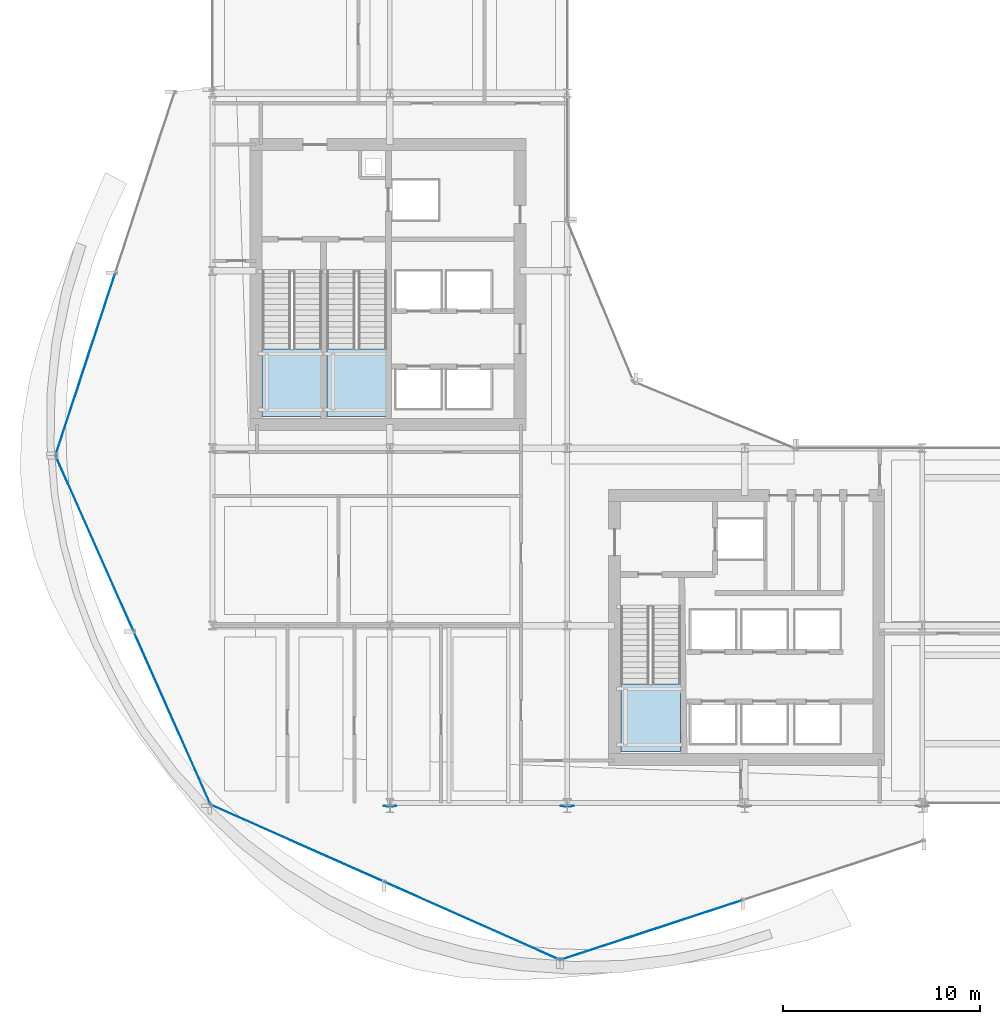
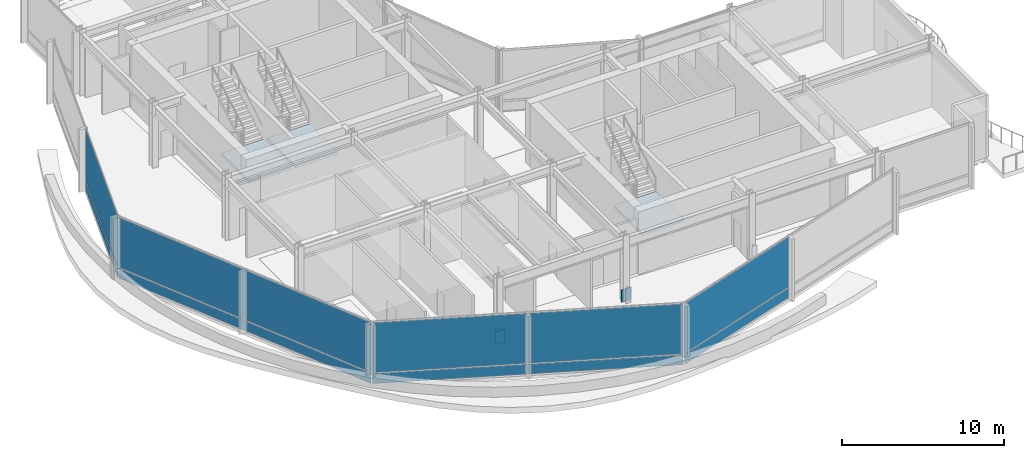
# One storey, part 21 of 33: 14 plates, 3 slabs, 7 elements without a shape of their own.
"""IFC4 building model written with IfcOpenShell, lengths in metres."""

from ifc_helpers import new_model, si_unit, direction, frame, origin, origin_2d, place, context, subcontext, project, spatial, polyline, rectangle, outline, extrude, material, layer, layer_set, type_object, element, aggregate, save


model = new_model("IFC4")

# Units and contexts
model_context = context("Model", 3, precision=1e-05, world=origin(), true_north=direction((0.0, 1.0)))
body_context = subcontext(model_context, "Body", "Model", "MODEL_VIEW")
ifc_project = project(units=[si_unit("LENGTHUNIT", "METRE"), si_unit("AREAUNIT", "SQUARE_METRE"), si_unit("VOLUMEUNIT", "CUBIC_METRE"), si_unit("PLANEANGLEUNIT", "RADIAN"), si_unit("MASSUNIT", "GRAM", prefix="KILO")], contexts=[model_context])

# Site, building, storey
site_placement = place(None, origin())
site = spatial("IfcSite", under=ifc_project, at=site_placement, CompositionType="ELEMENT")
building_placement = place(site_placement, origin())
building = spatial("IfcBuilding", under=site, at=building_placement, Name="Solvaryn Broadcast Tower", CompositionType="ELEMENT")
storey_placement = place(building_placement, frame((0.0, 0.0, 105.0)))
storey = spatial("IfcBuildingStorey", under=building, at=storey_placement, Name="L25", CompositionType="ELEMENT", Elevation=105.0)

# Curtain wall, plates
ifc_material_1 = material(Name="Aluminium and Terracotta Unitised Curtain Wall", Category="masonry")
ifc_layer_1 = layer(ifc_material_1, 0.25)
ifc_layer_set_1 = layer_set([ifc_layer_1], Name="CW-SYS4-SKYGARDEN")
curtain_wall_type = type_object("IfcCurtainWallType", Name="CW-SYS4-SKYGARDEN", PredefinedType="NOTDEFINED", material=ifc_layer_set_1)
curtain_wall_1_placement = place(storey_placement, origin())
curtain_wall_1 = element("IfcCurtainWall", 1, at=curtain_wall_1_placement, inside=storey, type_object=curtain_wall_type, Name="L25 Curtain Wall DR1", PredefinedType="NOTDEFINED")
ifc_material_2 = material(Name="Low-Iron Insulated Vision Glass", Category="glass")
ifc_layer_2 = layer(ifc_material_2, 0.035888671875)
ifc_layer_set_2 = layer_set([ifc_layer_2], Name="CW-PNL-VISION")
plate_type_1 = type_object("IfcPlateType", Name="CW-PNL-VISION", PredefinedType="CURTAIN_PANEL", material=ifc_layer_set_2)
plate_1_placement = place(storey_placement, frame((2.5498046875, 31.258056640625, 0.06005859375), z_axis=(0.0, 0.0, 1.0), x_axis=(-0.311646057547, -0.950198260794, 0.0)))
plate_1 = element("IfcPlate", 2, at=plate_1_placement, type_object=plate_type_1, Name="CWS4 panel 2.1", PredefinedType="CURTAIN_PANEL", context=body_context, shape_type="SweptSolid", body=[
    extrude(rectangle(XDim=9.6083984375, YDim=0.028076171875, at=origin_2d()), origin(), (0.0, 0.0, 1.0), 0.760009765625),
])
plate_2_placement = place(storey_placement, frame((2.5498046875, 31.258056640625, 0.8798828125), z_axis=(0.0, 0.0, 1.0), x_axis=(-0.311646057547, -0.950198260794, 0.0)))
plate_2 = element("IfcPlate", 3, at=plate_2_placement, type_object=plate_type_1, Name="CWS4 panel 2.2", PredefinedType="CURTAIN_PANEL", context=body_context, shape_type="SweptSolid", body=[
    extrude(rectangle(XDim=9.6083984375, YDim=0.028076171875, at=origin_2d()), origin(), (0.0, 0.0, 1.0), 3.780029296875),
])
aggregate(curtain_wall_1, [plate_1, plate_2])

curtain_wall_2_placement = place(storey_placement, origin())
curtain_wall_2 = element("IfcCurtainWall", 4, at=curtain_wall_2_placement, inside=storey, type_object=curtain_wall_type, Name="L25 Curtain Wall DR2", PredefinedType="NOTDEFINED")
plate_3_placement = place(storey_placement, frame((3.008544921875, 22.190185546875, 0.06005859375), z_axis=(0.0, 0.0, 1.0), x_axis=(0.405918429309, -0.913909311008, 0.0)))
plate_3 = element("IfcPlate", 5, at=plate_3_placement, type_object=plate_type_1, Name="CWS4 panel 1.1", PredefinedType="CURTAIN_PANEL", context=body_context, shape_type="SweptSolid", body=[
    extrude(rectangle(XDim=9.60888671875, YDim=0.028076171875, at=origin_2d()), origin(), (0.0, 0.0, 1.0), 0.760009765625),
])
plate_4_placement = place(storey_placement, frame((3.008544921875, 22.190185546875, 0.8798828125), z_axis=(0.0, 0.0, 1.0), x_axis=(0.405918429309, -0.913909311008, 0.0)))
plate_4 = element("IfcPlate", 6, at=plate_4_placement, type_object=plate_type_1, Name="CWS4 panel 1.2", PredefinedType="CURTAIN_PANEL", context=body_context, shape_type="SweptSolid", body=[
    extrude(rectangle(XDim=9.60888671875, YDim=0.028076171875, at=origin_2d()), origin(), (0.0, 0.0, 1.0), 3.780029296875),
])
plate_5_placement = place(storey_placement, frame((6.933349609375, 13.353759765625, 0.06005859375), z_axis=(0.0, 0.0, 1.0), x_axis=(0.405918429309, -0.913909311008, 0.0)))
plate_5 = element("IfcPlate", 7, at=plate_5_placement, type_object=plate_type_1, Name="CWS4 panel 2.1", PredefinedType="CURTAIN_PANEL", context=body_context, shape_type="SweptSolid", body=[
    extrude(rectangle(XDim=9.60888671875, YDim=0.028076171875, at=origin_2d()), origin(), (0.0, 0.0, 1.0), 0.760009765625),
])
plate_6_placement = place(storey_placement, frame((6.933349609375, 13.353759765625, 0.8798828125), z_axis=(0.0, 0.0, 1.0), x_axis=(0.405918429309, -0.913909311008, 0.0)))
plate_6 = element("IfcPlate", 8, at=plate_6_placement, type_object=plate_type_1, Name="CWS4 panel 2.2", PredefinedType="CURTAIN_PANEL", context=body_context, shape_type="SweptSolid", body=[
    extrude(rectangle(XDim=9.60888671875, YDim=0.028076171875, at=origin_2d()), origin(), (0.0, 0.0, 1.0), 3.780029296875),
])
aggregate(curtain_wall_2, [plate_3, plate_4, plate_5, plate_6])

curtain_wall_3_placement = place(storey_placement, origin())
curtain_wall_3 = element("IfcCurtainWall", 9, at=curtain_wall_3_placement, inside=storey, type_object=curtain_wall_type, Name="L25 Curtain Wall DR3", PredefinedType="NOTDEFINED")
plate_7_placement = place(storey_placement, frame((13.353759765625, 6.933349609375, 0.06005859375), z_axis=(0.0, 0.0, 1.0), x_axis=(0.913909311008, -0.405918429309, 0.0)))
plate_7 = element("IfcPlate", 10, at=plate_7_placement, type_object=plate_type_1, Name="CWS4 panel 1.1", PredefinedType="CURTAIN_PANEL", context=body_context, shape_type="SweptSolid", body=[
    extrude(rectangle(XDim=9.60888671875, YDim=0.028076171875, at=origin_2d()), origin(), (0.0, 0.0, 1.0), 0.760009765625),
])
plate_8_placement = place(storey_placement, frame((13.353759765625, 6.933349609375, 0.8798828125), z_axis=(0.0, 0.0, 1.0), x_axis=(0.913909311008, -0.405918429309, 0.0)))
plate_8 = element("IfcPlate", 11, at=plate_8_placement, type_object=plate_type_1, Name="CWS4 panel 1.2", PredefinedType="CURTAIN_PANEL", context=body_context, shape_type="SweptSolid", body=[
    extrude(rectangle(XDim=9.60888671875, YDim=0.028076171875, at=origin_2d()), origin(), (0.0, 0.0, 1.0), 3.780029296875),
])
plate_9_placement = place(storey_placement, frame((22.190185546875, 3.008544921875, 0.06005859375), z_axis=(0.0, 0.0, 1.0), x_axis=(0.913909311008, -0.405918429309, 0.0)))
plate_9 = element("IfcPlate", 12, at=plate_9_placement, type_object=plate_type_1, Name="CWS4 panel 2.1", PredefinedType="CURTAIN_PANEL", context=body_context, shape_type="SweptSolid", body=[
    extrude(rectangle(XDim=9.60888671875, YDim=0.028076171875, at=origin_2d()), origin(), (0.0, 0.0, 1.0), 0.760009765625),
])
plate_10_placement = place(storey_placement, frame((22.190185546875, 3.008544921875, 0.8798828125), z_axis=(0.0, 0.0, 1.0), x_axis=(0.913909311008, -0.405918429309, 0.0)))
plate_10 = element("IfcPlate", 13, at=plate_10_placement, type_object=plate_type_1, Name="CWS4 panel 2.2", PredefinedType="CURTAIN_PANEL", context=body_context, shape_type="SweptSolid", body=[
    extrude(rectangle(XDim=9.60888671875, YDim=0.028076171875, at=origin_2d()), origin(), (0.0, 0.0, 1.0), 3.780029296875),
])
aggregate(curtain_wall_3, [plate_7, plate_8, plate_9, plate_10])

curtain_wall_4_placement = place(storey_placement, origin())
curtain_wall_4 = element("IfcCurtainWall", 14, at=curtain_wall_4_placement, inside=storey, type_object=curtain_wall_type, Name="L25 Curtain Wall DR4", PredefinedType="NOTDEFINED")
plate_11_placement = place(storey_placement, frame((31.258056640625, 2.5498046875, 0.06005859375), z_axis=(0.0, 0.0, 1.0), x_axis=(0.950198260794, 0.311646057547, 0.0)))
plate_11 = element("IfcPlate", 15, at=plate_11_placement, type_object=plate_type_1, Name="CWS4 panel 1.1", PredefinedType="CURTAIN_PANEL", context=body_context, shape_type="SweptSolid", body=[
    extrude(rectangle(XDim=9.6083984375, YDim=0.028076171875, at=origin_2d()), origin(), (0.0, 0.0, 1.0), 0.760009765625),
])
plate_12_placement = place(storey_placement, frame((31.258056640625, 2.5498046875, 0.8798828125), z_axis=(0.0, 0.0, 1.0), x_axis=(0.950198260794, 0.311646057547, 0.0)))
plate_12 = element("IfcPlate", 16, at=plate_12_placement, type_object=plate_type_1, Name="CWS4 panel 1.2", PredefinedType="CURTAIN_PANEL", context=body_context, shape_type="SweptSolid", body=[
    extrude(rectangle(XDim=9.6083984375, YDim=0.028076171875, at=origin_2d()), origin(), (0.0, 0.0, 1.0), 3.780029296875),
])
aggregate(curtain_wall_4, [plate_11, plate_12])

# Plates
ifc_material_3 = material(Name="Steel ASTM A572 Grade 50", Category="steel")
ifc_layer_3 = layer(ifc_material_3, 0.0400390625)
ifc_layer_set_3 = layer_set([ifc_layer_3], Name="PL-GUSSET-40")
plate_type_2 = type_object("IfcPlateType", Name="PL-GUSSET-40", PredefinedType="SHEET", material=ifc_layer_set_3)
for number, where, z_axis, x_axis, name in (
    (17, (18.0, 8.85009765625, -0.02490234375), (0.0, 0.0, 1.0), (1.0, 0.0, 0.0), "L25 Splice Gusset Plate 1"),
    (18, (27.0, 8.85009765625, -0.02490234375), (0.0, 0.0, 1.0), (1.0, 0.0, 0.0), "L25 Splice Gusset Plate 2"),
):
    element("IfcPlate", number, at=place(storey_placement, frame(where, z_axis=z_axis, x_axis=x_axis)), inside=storey, type_object=plate_type_2, Name=name, PredefinedType="SHEET", context=body_context, shape_type="SweptSolid", body=[
        extrude(rectangle(XDim=0.64990234375, YDim=0.0400390625, at=origin_2d()), origin(), (0.0, 0.0, 1.0), 0.949951171875),
    ])

# Stair, slab
ifc_material_4 = material(Name="Concrete f'c 60 MPa", Category="concrete")
stair_type = type_object("IfcStairType", Name="ST-CORE", PredefinedType="HALF_TURN_STAIR", material=ifc_material_4)
stair_1_placement = place(storey_placement, origin())
stair_1 = element("IfcStair", 19, at=stair_1_placement, inside=storey, type_object=stair_type, Name="L25 ST1", PredefinedType="HALF_TURN_STAIR")
ifc_material_5 = material(Name="Concrete f'c 60 MPa", Category="concrete")
ifc_layer_4 = layer(ifc_material_5, 0.199951171875)
ifc_layer_set_4 = layer_set([ifc_layer_4], Name="SL-LANDING-200")
slab_type = type_object("IfcSlabType", Name="SL-LANDING-200", PredefinedType="LANDING", material=ifc_layer_set_4)
slab_1_placement = place(storey_placement, frame((0.0, 0.0, 2.300048828125)))
slab_1 = element("IfcSlab", 20, at=slab_1_placement, type_object=slab_type, Name="ST1 landing 1", PredefinedType="LANDING", context=body_context, shape_type="SweptSolid", body=[
    extrude(outline(polyline([(11.52001953125, 32.0400390625), (11.52001953125, 28.60009765625), (14.550048828125, 28.60009765625), (14.550048828125, 32.0400390625), (11.52001953125, 32.0400390625)])), origin(), (0.0, 0.0, 1.0), 0.199951171875),
])
aggregate(stair_1, [slab_1])

stair_2_placement = place(storey_placement, origin())
stair_2 = element("IfcStair", 21, at=stair_2_placement, inside=storey, type_object=stair_type, Name="L25 ST2", PredefinedType="HALF_TURN_STAIR")
slab_2_placement = place(storey_placement, frame((0.0, 0.0, 2.300048828125)))
slab_2 = element("IfcSlab", 22, at=slab_2_placement, type_object=slab_type, Name="ST2 landing 1", PredefinedType="LANDING", context=body_context, shape_type="SweptSolid", body=[
    extrude(outline(polyline([(14.800048828125, 32.0400390625), (14.800048828125, 28.60009765625), (17.830078125, 28.60009765625), (17.830078125, 32.0400390625), (14.800048828125, 32.0400390625)])), origin(), (0.0, 0.0, 1.0), 0.199951171875),
])
aggregate(stair_2, [slab_2])

stair_3_placement = place(storey_placement, origin())
stair_3 = element("IfcStair", 23, at=stair_3_placement, inside=storey, type_object=stair_type, Name="L25 ST3", PredefinedType="HALF_TURN_STAIR")
slab_3_placement = place(storey_placement, frame((0.0, 0.0, 2.300048828125)))
slab_3 = element("IfcSlab", 24, at=slab_3_placement, type_object=slab_type, Name="ST3 landing 1", PredefinedType="LANDING", context=body_context, shape_type="SweptSolid", body=[
    extrude(outline(polyline([(29.719970703125, 15.0400390625), (29.719970703125, 11.60009765625), (32.75, 11.60009765625), (32.75, 15.0400390625), (29.719970703125, 15.0400390625)])), origin(), (0.0, 0.0, 1.0), 0.199951171875),
])
aggregate(stair_3, [slab_3])

save(model, "model.ifc")
